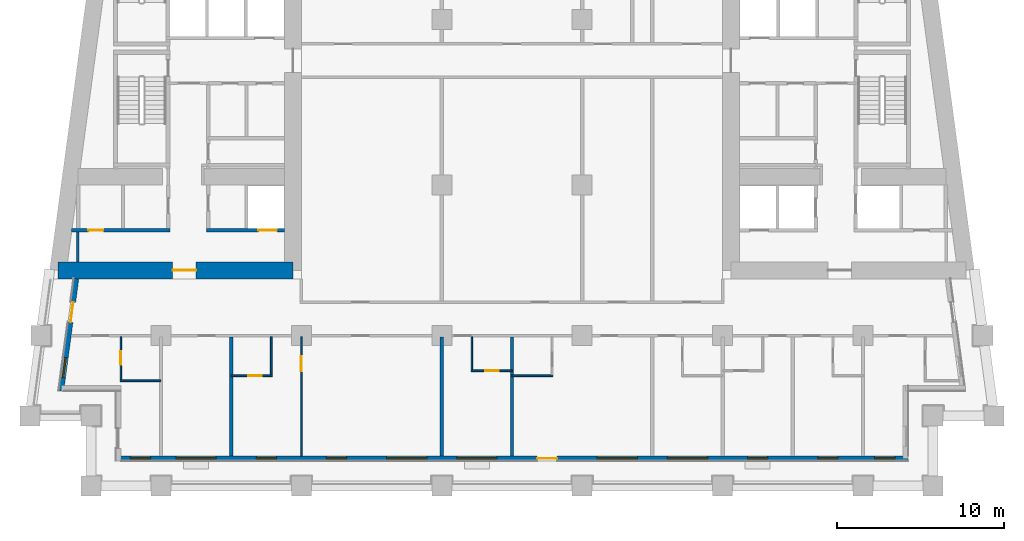
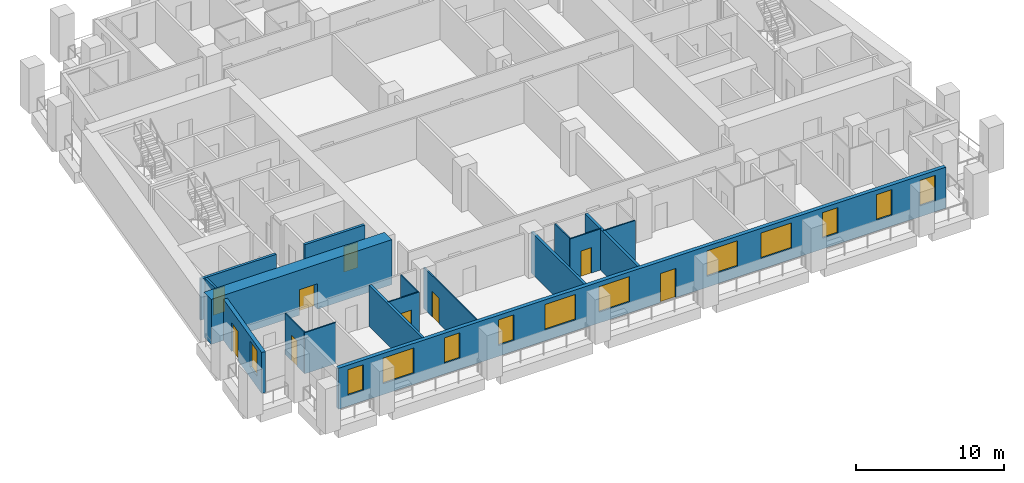
# One storey, part 2 of 13: 17 walls, 12 windows, 9 doors, 21 openings.
"""IFC4 building model written with IfcOpenShell, lengths in metres."""

import ifcopenshell
import ifcopenshell.guid

model = None  # the IFC model being written
_history = None  # IfcOwnerHistory: only IFC2X3 demands one
_inside = {}  # id of a spatial element -> (the spatial element, [elements in it])
_under = {}  # id of a project, library or spatial element -> (it, [spatial elements below it])
_declared = {}  # id of a project -> (the project, [libraries it declares])
_typed = {}  # id of a type object -> (the type object, [elements of that type])
_made_of = {}  # id of a material, layer set ... -> (it, [elements and type objects made of it])


def new_model(schema):
    """Start an empty IFC model of exactly this schema.

    Asked for "IFC4X3", IfcOpenShell would pick the latest addendum, in which some entities
    have other attributes; the version numbers below select the first issue.
    IFC2X3 requires an IfcOwnerHistory on every rooted entity: one is made here for all.
    """
    global model, _history
    if schema == "IFC4X3":
        model = ifcopenshell.file(schema_version=(4, 3, 0, 0))
    else:
        model = ifcopenshell.file(schema=schema)
    _inside.clear()
    _under.clear()
    _declared.clear()
    _typed.clear()
    _made_of.clear()
    _history = None
    if model.schema == "IFC2X3":
        org = make("IfcOrganization", Name="unknown")
        user = make(
            "IfcPersonAndOrganization",
            ThePerson=make("IfcPerson", FamilyName="unknown"),
            TheOrganization=org,
        )
        app = make(
            "IfcApplication",
            ApplicationDeveloper=org,
            Version="unknown",
            ApplicationFullName="unknown",
            ApplicationIdentifier="unknown",
        )
        _history = make(
            "IfcOwnerHistory",
            OwningUser=user,
            OwningApplication=app,
            ChangeAction="ADDED",
            CreationDate=0,
        )
    return model


def make(cls, **values):
    """One entity of the class cls with the attributes given. An attribute that is None is left unset."""
    return model.create_entity(
        cls, **{name: value for name, value in values.items() if value is not None}
    )


def rooted(cls, **values):
    """An entity with a GlobalId (a new one), such as an element, a storey or a relation."""
    return make(cls, GlobalId=ifcopenshell.guid.new(), OwnerHistory=_history, **values)


def si_unit(unit_type, name, prefix=None):
    """IfcSIUnit, for example si_unit("LENGTHUNIT", "METRE", prefix="MILLI")."""
    return make("IfcSIUnit", UnitType=unit_type, Prefix=prefix, Name=name)


def assignment(units):
    """IfcUnitAssignment: the units of a project."""
    return None if units is None else make("IfcUnitAssignment", Units=units)


def point(xyz):
    """IfcCartesianPoint."""
    return None if xyz is None else make("IfcCartesianPoint", Coordinates=xyz)


def direction(xyz):
    """IfcDirection."""
    return None if xyz is None else make("IfcDirection", DirectionRatios=xyz)


def frame(location, z_axis=None, x_axis=None):
    """IfcAxis2Placement3D, a coordinate frame: its origin and axes. An axis left out is left unset."""
    return make(
        "IfcAxis2Placement3D",
        Location=point(location),
        Axis=direction(z_axis),
        RefDirection=direction(x_axis),
    )


def frame_2d(location, x_axis=None):
    """IfcAxis2Placement2D, a coordinate frame in the plane: its origin and x axis."""
    return make(
        "IfcAxis2Placement2D", Location=point(location), RefDirection=direction(x_axis)
    )


def origin():
    """The frame at (0, 0, 0) with its axes left unset."""
    return frame((0.0, 0.0, 0.0))


def place(relative_to, where):
    """IfcLocalPlacement: puts the frame where relative to a parent placement (None: the world)."""
    return make(
        "IfcLocalPlacement", PlacementRelTo=relative_to, RelativePlacement=where
    )


def context(
    kind, dimensions, precision=None, world=None, true_north=None, identifier=None
):
    """IfcGeometricRepresentationContext, for example the 3D "Model" context."""
    return make(
        "IfcGeometricRepresentationContext",
        ContextIdentifier=identifier,
        ContextType=kind,
        CoordinateSpaceDimension=dimensions,
        Precision=precision,
        WorldCoordinateSystem=world,
        TrueNorth=true_north,
    )


def subcontext(parent, identifier, kind, view, scale=None):
    """IfcGeometricRepresentationSubContext, for example "Body" below "Model"."""
    return make(
        "IfcGeometricRepresentationSubContext",
        ContextIdentifier=identifier,
        ContextType=kind,
        ParentContext=parent,
        TargetScale=scale,
        TargetView=view,
    )


def project(units=None, contexts=None):
    """IfcProject with its units and contexts."""
    return rooted(
        "IfcProject",
        Name="project",
        RepresentationContexts=contexts,
        UnitsInContext=assignment(units),
    )


def spatial(cls, under=None, at=None, **own):
    """A site, building, storey or space (cls), placed at a placement, below another one or the project."""
    s = rooted(cls, ObjectPlacement=at, **own)
    if under is not None:
        _under.setdefault(under.id(), (under, []))[1].append(s)
    return s


def profile(cls, at=None, kind="AREA", **sizes):
    """A parametric profile (cls). Its sizes go by their IFC names, for example OverallWidth=200.0."""
    return make(cls, ProfileType=kind, Position=at, **sizes)


def rectangle(**sizes):
    """IfcRectangleProfileDef."""
    return profile("IfcRectangleProfileDef", **sizes)


def extrude(swept, where, along, depth):
    """IfcExtrudedAreaSolid: the profile swept, set in the frame where, extruded along a direction by depth."""
    return make(
        "IfcExtrudedAreaSolid",
        SweptArea=swept,
        Position=where,
        ExtrudedDirection=direction(along),
        Depth=depth,
    )


def shape(context_of_items, identifier, shape_type, items):
    """IfcShapeRepresentation: the items that make up one representation, for example the "Body"."""
    return make(
        "IfcShapeRepresentation",
        ContextOfItems=context_of_items,
        RepresentationIdentifier=identifier,
        RepresentationType=shape_type,
        Items=items,
    )


def material(Name=None, Category=None):
    """IfcMaterial."""
    return make("IfcMaterial", Name=Name, Category=Category)


def layer(
    of_material, thickness, ventilated=None, Name=None, Category=None, Priority=None
):
    """IfcMaterialLayer: one layer of a wall or slab, of a material (None: an air gap)."""
    return make(
        "IfcMaterialLayer",
        Material=of_material,
        LayerThickness=thickness,
        IsVentilated=ventilated,
        Name=Name,
        Category=Category,
        Priority=Priority,
    )


def layer_set(layers, Name=None):
    """IfcMaterialLayerSet."""
    return make("IfcMaterialLayerSet", MaterialLayers=layers, LayerSetName=Name)


def made_of(thing, what):
    """Note that an element or type object is made of a material, layer set ...; save() writes the relation."""
    if what is not None:
        _made_of.setdefault(what.id(), (what, []))[1].append(thing)
    return thing


def type_object(cls, material=None, **own):
    """A type object (cls), such as IfcWallType, which elements share."""
    return made_of(rooted(cls, **own), material)


def element(
    cls,
    number,
    at=None,
    inside=None,
    cuts=None,
    type_object=None,
    material=None,
    context=None,
    identifier="Body",
    shape_type=None,
    held_by="IfcProductDefinitionShape",
    body=None,
    shapes=None,
    **own,
):
    """One element of the class cls, such as IfcWall. Its Tag is "e" and its number.

    at: its placement. inside: the storey or other place that contains it. cuts: it is an
    opening in that element (IfcRelVoidsElement). A single representation is given by context,
    identifier, shape_type and body (its items); several are given by shapes. held_by: the class
    of the entity that holds the representations. save() writes the other relations.
    """
    e = rooted(cls, Tag="e%d" % number, ObjectPlacement=at, **own)
    if body is not None:
        shapes = [shape(context, identifier, shape_type, body)]
    if shapes is not None:
        e.Representation = make(held_by, Representations=shapes)
    if inside is not None:
        _inside.setdefault(inside.id(), (inside, []))[1].append(e)
    if cuts is not None:
        rooted(
            "IfcRelVoidsElement", RelatingBuildingElement=cuts, RelatedOpeningElement=e
        )
    if type_object is not None:
        _typed.setdefault(type_object.id(), (type_object, []))[1].append(e)
    return made_of(e, material)


def fill(opening, filler):
    """IfcRelFillsElement: the door or window that sits in an opening."""
    return rooted(
        "IfcRelFillsElement",
        RelatingOpeningElement=opening,
        RelatedBuildingElement=filler,
    )


def aggregate(whole, parts):
    """IfcRelAggregates: a whole, such as a stair, and the parts it consists of."""
    return rooted("IfcRelAggregates", RelatingObject=whole, RelatedObjects=parts)


def save(model, path):
    """Write the relations noted so far, then the file.

    IfcRelAggregates (storeys below a building ...), IfcRelContainedInSpatialStructure (elements
    in a storey), IfcRelDefinesByType, IfcRelAssociatesMaterial and IfcRelDeclares: one each for
    every whole, place, type object, material and project.
    """
    for whole, parts in _under.values():
        aggregate(whole, parts)
    for where, things in _inside.values():
        rooted(
            "IfcRelContainedInSpatialStructure",
            RelatedElements=things,
            RelatingStructure=where,
        )
    for kind, things in _typed.values():
        rooted("IfcRelDefinesByType", RelatedObjects=things, RelatingType=kind)
    for what, things in _made_of.values():
        rooted("IfcRelAssociatesMaterial", RelatedObjects=things, RelatingMaterial=what)
    for by, libraries in _declared.values():
        rooted("IfcRelDeclares", RelatingContext=by, RelatedDefinitions=libraries)
    model.write(path)


model = new_model("IFC4")

# Units and contexts
model_context = context("Model", 3, precision=1e-05, world=origin(), true_north=direction((0.0, 1.0)))
body_context = subcontext(model_context, "Body", "Model", "MODEL_VIEW")
ifc_project = project(units=[si_unit("LENGTHUNIT", "METRE"), si_unit("AREAUNIT", "SQUARE_METRE"), si_unit("VOLUMEUNIT", "CUBIC_METRE"), si_unit("PLANEANGLEUNIT", "RADIAN"), si_unit("MASSUNIT", "GRAM", prefix="KILO")], contexts=[model_context])

# Site, building, storey
site_placement = place(None, origin())
site = spatial("IfcSite", under=ifc_project, at=site_placement, CompositionType="ELEMENT")
building_placement = place(site_placement, origin())
building = spatial("IfcBuilding", under=site, at=building_placement, Name="Candeia Pilgrim Tower and Theatre", CompositionType="ELEMENT")
storey_placement = place(building_placement, frame((0.0, 0.0, 128.0)))
storey = spatial("IfcBuildingStorey", under=building, at=storey_placement, Name="L30", CompositionType="ELEMENT", Elevation=128.0)

# Wall, opening, door
ifc_material_1 = material(Name="Concrete C70/85", Category="concrete")
ifc_layer_1 = layer(ifc_material_1, 1.0)
ifc_layer_set_1 = layer_set([ifc_layer_1], Name="Core wall 1000 C70/85")
wall_type_1 = type_object("IfcWallType", Name="Core wall 1000 C70/85", PredefinedType="SHEAR", material=ifc_layer_set_1)
wall_1_placement = place(storey_placement, frame((100.300048828125, 110.89990234375, 0.0), z_axis=(0.0, 0.0, 1.0), x_axis=(-1.0, 0.0, 0.0)))
wall_1 = element("IfcWall", 1, at=wall_1_placement, inside=storey, type_object=wall_type_1, Name="Core wall W3", PredefinedType="SHEAR", context=body_context, shape_type="SweptSolid", body=[
    extrude(rectangle(XDim=14.05908203125, YDim=1.0, at=frame_2d((7.029541015625, 0.0))), origin(), (0.0, 0.0, 1.0), 3.699951171875),
])
opening_1_placement = place(wall_1_placement, frame((5.801513671875, 0.0, 0.0)))
opening_1 = element("IfcOpeningElement", 2, at=opening_1_placement, cuts=wall_1, Name="Opening L30-D056", PredefinedType="OPENING", context=body_context, shape_type="SweptSolid", body=[
    extrude(rectangle(XDim=1.39990234375, YDim=2.10009765625, at=frame_2d((0.699951171875, 1.050048828125))), frame((0.0, 0.510009765625, 0.0), z_axis=(0.0, -1.0, 0.0), x_axis=(1.0, 0.0, 0.0)), (0.0, 0.0, 1.0), 1.02001953125),
])
ifc_material_2 = material(Name="Steel fire door set", Category="steel")
door_type_1 = type_object("IfcDoorType", Name="D-1400-FD60", OperationType="NOTDEFINED", PredefinedType="DOOR", material=ifc_material_2)
door_1_placement = place(opening_1_placement, origin())
door_1 = element("IfcDoor", 3, at=door_1_placement, inside=storey, type_object=door_type_1, Name="Door L30-D056", OperationType="SINGLE_SWING_RIGHT", OverallHeight=2.10009765625, OverallWidth=1.39990234375, PredefinedType="DOOR", context=body_context, shape_type="SweptSolid", body=[
    extrude(rectangle(XDim=1.39990234375, YDim=2.10009765625, at=frame_2d((0.699951171875, 1.050048828125))), frame((0.0, 0.02490234375, 0.0), z_axis=(0.0, -1.0, 0.0), x_axis=(1.0, 0.0, 0.0)), (0.0, 0.0, 1.0), 0.050048828125),
])
fill(opening_1, door_1)

# Wall, openings, door, windows
ifc_material_3 = material(Name="Ceramic block masonry", Category="masonry")
ifc_layer_2 = layer(ifc_material_3, 0.300048828125)
ifc_layer_set_2 = layer_set([ifc_layer_2], Name="EW1 glazing-line wall 300")
wall_type_2 = type_object("IfcWallType", Name="EW1 glazing-line wall 300", PredefinedType="SOLIDWALL", material=ifc_layer_set_2)
wall_2_placement = place(storey_placement, frame((89.85009765625, 99.64990234375, 0.0), z_axis=(0.0, 0.0, 1.0), x_axis=(1.0, 0.0, 0.0)))
wall_2 = element("IfcWall", 4, at=wall_2_placement, inside=storey, type_object=wall_type_2, Name="External wall L30-0.0", PredefinedType="SOLIDWALL", context=body_context, shape_type="SweptSolid", body=[
    extrude(rectangle(XDim=47.25, YDim=0.300048828125, at=frame_2d((23.625, 0.0))), origin(), (0.0, 0.0, 1.0), 3.3798828125),
])
opening_2_placement = place(wall_2_placement, frame((0.72509765625, 0.0, 0.89990234375)))
opening_2 = element("IfcOpeningElement", 5, at=opening_2_placement, cuts=wall_2, Name="Opening W-B", PredefinedType="OPENING", context=body_context, shape_type="SweptSolid", body=[
    extrude(rectangle(XDim=1.199951171875, YDim=2.10009765625, at=frame_2d((0.60009765625, 1.050048828125))), frame((0.0, 0.16015625, 0.0), z_axis=(0.0, -1.0, 0.0), x_axis=(1.0, 0.0, 0.0)), (0.0, 0.0, 1.0), 0.320068359375),
])
opening_3_placement = place(wall_2_placement, frame((3.449951171875, 0.0, 0.89990234375)))
opening_3 = element("IfcOpeningElement", 6, at=opening_3_placement, cuts=wall_2, Name="Opening W-A", PredefinedType="OPENING", context=body_context, shape_type="SweptSolid", body=[
    extrude(rectangle(XDim=2.39990234375, YDim=2.10009765625, at=frame_2d((1.199951171875, 1.050048828125))), frame((0.0, 0.16015625, 0.0), z_axis=(0.0, -1.0, 0.0), x_axis=(1.0, 0.0, 0.0)), (0.0, 0.0, 1.0), 0.320068359375),
])
opening_4_placement = place(wall_2_placement, frame((8.25, 0.0, 0.89990234375)))
opening_4 = element("IfcOpeningElement", 7, at=opening_4_placement, cuts=wall_2, Name="Opening W-B", PredefinedType="OPENING", context=body_context, shape_type="SweptSolid", body=[
    extrude(rectangle(XDim=1.199951171875, YDim=2.10009765625, at=frame_2d((0.60009765625, 1.050048828125))), frame((0.0, 0.16015625, 0.0), z_axis=(0.0, -1.0, 0.0), x_axis=(1.0, 0.0, 0.0)), (0.0, 0.0, 1.0), 0.320068359375),
])
opening_5_placement = place(wall_2_placement, frame((12.449951171875, 0.0, 0.89990234375)))
opening_5 = element("IfcOpeningElement", 8, at=opening_5_placement, cuts=wall_2, Name="Opening W-B", PredefinedType="OPENING", context=body_context, shape_type="SweptSolid", body=[
    extrude(rectangle(XDim=1.199951171875, YDim=2.10009765625, at=frame_2d((0.60009765625, 1.050048828125))), frame((0.0, 0.16015625, 0.0), z_axis=(0.0, -1.0, 0.0), x_axis=(1.0, 0.0, 0.0)), (0.0, 0.0, 1.0), 0.320068359375),
])
opening_6_placement = place(wall_2_placement, frame((16.050048828125, 0.0, 0.89990234375)))
opening_6 = element("IfcOpeningElement", 9, at=opening_6_placement, cuts=wall_2, Name="Opening W-A", PredefinedType="OPENING", context=body_context, shape_type="SweptSolid", body=[
    extrude(rectangle(XDim=2.39990234375, YDim=2.10009765625, at=frame_2d((1.199951171875, 1.050048828125))), frame((0.0, 0.16015625, 0.0), z_axis=(0.0, -1.0, 0.0), x_axis=(1.0, 0.0, 0.0)), (0.0, 0.0, 1.0), 0.320068359375),
])
opening_7_placement = place(wall_2_placement, frame((20.25, 0.0, 0.89990234375)))
opening_7 = element("IfcOpeningElement", 10, at=opening_7_placement, cuts=wall_2, Name="Opening W-A", PredefinedType="OPENING", context=body_context, shape_type="SweptSolid", body=[
    extrude(rectangle(XDim=2.39990234375, YDim=2.10009765625, at=frame_2d((1.199951171875, 1.050048828125))), frame((0.0, 0.16015625, 0.0), z_axis=(0.0, -1.0, 0.0), x_axis=(1.0, 0.0, 0.0)), (0.0, 0.0, 1.0), 0.320068359375),
])
opening_8_placement = place(wall_2_placement, frame((25.050048828125, 0.0, 0.0)))
opening_8 = element("IfcOpeningElement", 11, at=opening_8_placement, cuts=wall_2, Name="Opening L30-ED301", PredefinedType="OPENING", context=body_context, shape_type="SweptSolid", body=[
    extrude(rectangle(XDim=1.199951171875, YDim=2.39990234375, at=frame_2d((0.60009765625, 1.199951171875))), frame((0.0, 0.16015625, 0.0), z_axis=(0.0, -1.0, 0.0), x_axis=(1.0, 0.0, 0.0)), (0.0, 0.0, 1.0), 0.320068359375),
])
opening_9_placement = place(wall_2_placement, frame((28.64990234375, 0.0, 0.89990234375)))
opening_9 = element("IfcOpeningElement", 12, at=opening_9_placement, cuts=wall_2, Name="Opening W-A", PredefinedType="OPENING", context=body_context, shape_type="SweptSolid", body=[
    extrude(rectangle(XDim=2.39990234375, YDim=2.10009765625, at=frame_2d((1.199951171875, 1.050048828125))), frame((0.0, 0.16015625, 0.0), z_axis=(0.0, -1.0, 0.0), x_axis=(1.0, 0.0, 0.0)), (0.0, 0.0, 1.0), 0.320068359375),
])
opening_10_placement = place(wall_2_placement, frame((32.85009765625, 0.0, 0.89990234375)))
opening_10 = element("IfcOpeningElement", 13, at=opening_10_placement, cuts=wall_2, Name="Opening W-A", PredefinedType="OPENING", context=body_context, shape_type="SweptSolid", body=[
    extrude(rectangle(XDim=2.39990234375, YDim=2.10009765625, at=frame_2d((1.199951171875, 1.050048828125))), frame((0.0, 0.16015625, 0.0), z_axis=(0.0, -1.0, 0.0), x_axis=(1.0, 0.0, 0.0)), (0.0, 0.0, 1.0), 0.320068359375),
])
opening_11_placement = place(wall_2_placement, frame((37.64990234375, 0.0, 0.89990234375)))
opening_11 = element("IfcOpeningElement", 14, at=opening_11_placement, cuts=wall_2, Name="Opening W-B", PredefinedType="OPENING", context=body_context, shape_type="SweptSolid", body=[
    extrude(rectangle(XDim=1.199951171875, YDim=2.10009765625, at=frame_2d((0.60009765625, 1.050048828125))), frame((0.0, 0.16015625, 0.0), z_axis=(0.0, -1.0, 0.0), x_axis=(1.0, 0.0, 0.0)), (0.0, 0.0, 1.0), 0.320068359375),
])
opening_12_placement = place(wall_2_placement, frame((41.85009765625, 0.0, 0.89990234375)))
opening_12 = element("IfcOpeningElement", 15, at=opening_12_placement, cuts=wall_2, Name="Opening W-B", PredefinedType="OPENING", context=body_context, shape_type="SweptSolid", body=[
    extrude(rectangle(XDim=1.199951171875, YDim=2.10009765625, at=frame_2d((0.60009765625, 1.050048828125))), frame((0.0, 0.16015625, 0.0), z_axis=(0.0, -1.0, 0.0), x_axis=(1.0, 0.0, 0.0)), (0.0, 0.0, 1.0), 0.320068359375),
])
opening_13_placement = place(wall_2_placement, frame((45.25, 0.0, 0.89990234375)))
opening_13 = element("IfcOpeningElement", 16, at=opening_13_placement, cuts=wall_2, Name="Opening W-B", PredefinedType="OPENING", context=body_context, shape_type="SweptSolid", body=[
    extrude(rectangle(XDim=1.199951171875, YDim=2.10009765625, at=frame_2d((0.60009765625, 1.050048828125))), frame((0.0, 0.16015625, 0.0), z_axis=(0.0, -1.0, 0.0), x_axis=(1.0, 0.0, 0.0)), (0.0, 0.0, 1.0), 0.320068359375),
])
ifc_material_4 = material(Name="Aluminium framed glazed door", Category="aluminium")
door_type_2 = type_object("IfcDoorType", Name="Loggia door 1200x2400", OperationType="DOUBLE_DOOR_SINGLE_SWING", PredefinedType="DOOR", material=ifc_material_4)
door_2_placement = place(opening_8_placement, origin())
door_2 = element("IfcDoor", 17, at=door_2_placement, inside=storey, type_object=door_type_2, Name="Loggia door L30-ED301", OperationType="DOUBLE_DOOR_SINGLE_SWING", OverallHeight=2.39990234375, OverallWidth=1.199951171875, PredefinedType="DOOR", context=body_context, shape_type="SweptSolid", body=[
    extrude(rectangle(XDim=1.199951171875, YDim=2.39990234375, at=frame_2d((0.60009765625, 1.199951171875))), frame((0.0, 0.02490234375, 0.0), z_axis=(0.0, -1.0, 0.0), x_axis=(1.0, 0.0, 0.0)), (0.0, 0.0, 1.0), 0.050048828125),
])
fill(opening_8, door_2)
ifc_material_5 = material(Name="Aluminium framed double glazing", Category="aluminium")
window_type_1 = type_object("IfcWindowType", Name="W-A window 2400x2100", PartitioningType="DOUBLE_PANEL_VERTICAL", PredefinedType="WINDOW", material=ifc_material_5)
window_1_placement = place(opening_3_placement, origin())
window_1 = element("IfcWindow", 18, at=window_1_placement, inside=storey, type_object=window_type_1, Name="Window W-A L30", OverallHeight=2.10009765625, OverallWidth=2.39990234375, PartitioningType="SINGLE_PANEL", PredefinedType="WINDOW", context=body_context, shape_type="SweptSolid", body=[
    extrude(rectangle(XDim=2.39990234375, YDim=2.10009765625, at=frame_2d((1.199951171875, 1.050048828125))), frame((0.0, 0.030029296875, 0.0), z_axis=(0.0, -1.0, 0.0), x_axis=(1.0, 0.0, 0.0)), (0.0, 0.0, 1.0), 0.06005859375),
])
fill(opening_3, window_1)
window_2_placement = place(opening_6_placement, origin())
window_2 = element("IfcWindow", 19, at=window_2_placement, inside=storey, type_object=window_type_1, Name="Window W-A L30", OverallHeight=2.10009765625, OverallWidth=2.39990234375, PartitioningType="SINGLE_PANEL", PredefinedType="WINDOW", context=body_context, shape_type="SweptSolid", body=[
    extrude(rectangle(XDim=2.39990234375, YDim=2.10009765625, at=frame_2d((1.199951171875, 1.050048828125))), frame((0.0, 0.030029296875, 0.0), z_axis=(0.0, -1.0, 0.0), x_axis=(1.0, 0.0, 0.0)), (0.0, 0.0, 1.0), 0.06005859375),
])
fill(opening_6, window_2)
window_3_placement = place(opening_7_placement, origin())
window_3 = element("IfcWindow", 20, at=window_3_placement, inside=storey, type_object=window_type_1, Name="Window W-A L30", OverallHeight=2.10009765625, OverallWidth=2.39990234375, PartitioningType="SINGLE_PANEL", PredefinedType="WINDOW", context=body_context, shape_type="SweptSolid", body=[
    extrude(rectangle(XDim=2.39990234375, YDim=2.10009765625, at=frame_2d((1.199951171875, 1.050048828125))), frame((0.0, 0.030029296875, 0.0), z_axis=(0.0, -1.0, 0.0), x_axis=(1.0, 0.0, 0.0)), (0.0, 0.0, 1.0), 0.06005859375),
])
fill(opening_7, window_3)
window_4_placement = place(opening_9_placement, origin())
window_4 = element("IfcWindow", 21, at=window_4_placement, inside=storey, type_object=window_type_1, Name="Window W-A L30", OverallHeight=2.10009765625, OverallWidth=2.39990234375, PartitioningType="SINGLE_PANEL", PredefinedType="WINDOW", context=body_context, shape_type="SweptSolid", body=[
    extrude(rectangle(XDim=2.39990234375, YDim=2.10009765625, at=frame_2d((1.199951171875, 1.050048828125))), frame((0.0, 0.030029296875, 0.0), z_axis=(0.0, -1.0, 0.0), x_axis=(1.0, 0.0, 0.0)), (0.0, 0.0, 1.0), 0.06005859375),
])
fill(opening_9, window_4)
window_5_placement = place(opening_10_placement, origin())
window_5 = element("IfcWindow", 22, at=window_5_placement, inside=storey, type_object=window_type_1, Name="Window W-A L30", OverallHeight=2.10009765625, OverallWidth=2.39990234375, PartitioningType="SINGLE_PANEL", PredefinedType="WINDOW", context=body_context, shape_type="SweptSolid", body=[
    extrude(rectangle(XDim=2.39990234375, YDim=2.10009765625, at=frame_2d((1.199951171875, 1.050048828125))), frame((0.0, 0.030029296875, 0.0), z_axis=(0.0, -1.0, 0.0), x_axis=(1.0, 0.0, 0.0)), (0.0, 0.0, 1.0), 0.06005859375),
])
fill(opening_10, window_5)
window_type_2 = type_object("IfcWindowType", Name="W-B window 1200x2100", PartitioningType="SINGLE_PANEL", PredefinedType="WINDOW", material=ifc_material_5)
window_6_placement = place(opening_2_placement, origin())
window_6 = element("IfcWindow", 23, at=window_6_placement, inside=storey, type_object=window_type_2, Name="Window W-B L30", OverallHeight=2.10009765625, OverallWidth=1.199951171875, PartitioningType="SINGLE_PANEL", PredefinedType="WINDOW", context=body_context, shape_type="SweptSolid", body=[
    extrude(rectangle(XDim=1.199951171875, YDim=2.10009765625, at=frame_2d((0.60009765625, 1.050048828125))), frame((0.0, 0.030029296875, 0.0), z_axis=(0.0, -1.0, 0.0), x_axis=(1.0, 0.0, 0.0)), (0.0, 0.0, 1.0), 0.06005859375),
])
fill(opening_2, window_6)
window_7_placement = place(opening_4_placement, origin())
window_7 = element("IfcWindow", 24, at=window_7_placement, inside=storey, type_object=window_type_2, Name="Window W-B L30", OverallHeight=2.10009765625, OverallWidth=1.199951171875, PartitioningType="SINGLE_PANEL", PredefinedType="WINDOW", context=body_context, shape_type="SweptSolid", body=[
    extrude(rectangle(XDim=1.199951171875, YDim=2.10009765625, at=frame_2d((0.60009765625, 1.050048828125))), frame((0.0, 0.030029296875, 0.0), z_axis=(0.0, -1.0, 0.0), x_axis=(1.0, 0.0, 0.0)), (0.0, 0.0, 1.0), 0.06005859375),
])
fill(opening_4, window_7)
window_8_placement = place(opening_5_placement, origin())
window_8 = element("IfcWindow", 25, at=window_8_placement, inside=storey, type_object=window_type_2, Name="Window W-B L30", OverallHeight=2.10009765625, OverallWidth=1.199951171875, PartitioningType="SINGLE_PANEL", PredefinedType="WINDOW", context=body_context, shape_type="SweptSolid", body=[
    extrude(rectangle(XDim=1.199951171875, YDim=2.10009765625, at=frame_2d((0.60009765625, 1.050048828125))), frame((0.0, 0.030029296875, 0.0), z_axis=(0.0, -1.0, 0.0), x_axis=(1.0, 0.0, 0.0)), (0.0, 0.0, 1.0), 0.06005859375),
])
fill(opening_5, window_8)
window_9_placement = place(opening_11_placement, origin())
window_9 = element("IfcWindow", 26, at=window_9_placement, inside=storey, type_object=window_type_2, Name="Window W-B L30", OverallHeight=2.10009765625, OverallWidth=1.199951171875, PartitioningType="SINGLE_PANEL", PredefinedType="WINDOW", context=body_context, shape_type="SweptSolid", body=[
    extrude(rectangle(XDim=1.199951171875, YDim=2.10009765625, at=frame_2d((0.60009765625, 1.050048828125))), frame((0.0, 0.030029296875, 0.0), z_axis=(0.0, -1.0, 0.0), x_axis=(1.0, 0.0, 0.0)), (0.0, 0.0, 1.0), 0.06005859375),
])
fill(opening_11, window_9)
window_10_placement = place(opening_12_placement, origin())
window_10 = element("IfcWindow", 27, at=window_10_placement, inside=storey, type_object=window_type_2, Name="Window W-B L30", OverallHeight=2.10009765625, OverallWidth=1.199951171875, PartitioningType="SINGLE_PANEL", PredefinedType="WINDOW", context=body_context, shape_type="SweptSolid", body=[
    extrude(rectangle(XDim=1.199951171875, YDim=2.10009765625, at=frame_2d((0.60009765625, 1.050048828125))), frame((0.0, 0.030029296875, 0.0), z_axis=(0.0, -1.0, 0.0), x_axis=(1.0, 0.0, 0.0)), (0.0, 0.0, 1.0), 0.06005859375),
])
fill(opening_12, window_10)
window_11_placement = place(opening_13_placement, origin())
window_11 = element("IfcWindow", 28, at=window_11_placement, inside=storey, type_object=window_type_2, Name="Window W-B L30", OverallHeight=2.10009765625, OverallWidth=1.199951171875, PartitioningType="SINGLE_PANEL", PredefinedType="WINDOW", context=body_context, shape_type="SweptSolid", body=[
    extrude(rectangle(XDim=1.199951171875, YDim=2.10009765625, at=frame_2d((0.60009765625, 1.050048828125))), frame((0.0, 0.030029296875, 0.0), z_axis=(0.0, -1.0, 0.0), x_axis=(1.0, 0.0, 0.0)), (0.0, 0.0, 1.0), 0.06005859375),
])
fill(opening_13, window_11)

# Wall, openings, door, window
wall_3_placement = place(storey_placement, frame((87.334228515625, 110.39990234375, 0.0), z_axis=(0.0, 0.0, 1.0), x_axis=(-0.133437175554, -0.991057273915, 0.0)))
wall_3 = element("IfcWall", 29, at=wall_3_placement, inside=storey, type_object=wall_type_2, Name="External wall L30-9.1", PredefinedType="SOLIDWALL", context=body_context, shape_type="SweptSolid", body=[
    extrude(rectangle(XDim=6.780517578125, YDim=0.300048828125, at=frame_2d((3.39013671875, 0.0))), origin(), (0.0, 0.0, 1.0), 3.3798828125),
])
opening_14_placement = place(wall_3_placement, frame((1.41796875, 0.0, 0.0)))
opening_14 = element("IfcOpeningElement", 30, at=opening_14_placement, cuts=wall_3, Name="Opening L30-ED308", PredefinedType="OPENING", context=body_context, shape_type="SweptSolid", body=[
    extrude(rectangle(XDim=1.199951171875, YDim=2.39990234375, at=frame_2d((0.60009765625, 1.199951171875))), frame((0.0, 0.16015625, 0.0), z_axis=(0.0, -1.0, 0.0), x_axis=(1.0, 0.0, 0.0)), (0.0, 0.0, 1.0), 0.320068359375),
])
opening_15_placement = place(wall_3_placement, frame((4.75830078125, 0.0, 0.89990234375)))
opening_15 = element("IfcOpeningElement", 31, at=opening_15_placement, cuts=wall_3, Name="Opening W-B", PredefinedType="OPENING", context=body_context, shape_type="SweptSolid", body=[
    extrude(rectangle(XDim=1.199951171875, YDim=2.10009765625, at=frame_2d((0.60009765625, 1.050048828125))), frame((0.0, 0.16015625, 0.0), z_axis=(0.0, -1.0, 0.0), x_axis=(1.0, 0.0, 0.0)), (0.0, 0.0, 1.0), 0.320068359375),
])
door_3_placement = place(opening_14_placement, origin())
door_3 = element("IfcDoor", 32, at=door_3_placement, inside=storey, type_object=door_type_2, Name="Loggia door L30-ED308", OperationType="DOUBLE_DOOR_SINGLE_SWING", OverallHeight=2.39990234375, OverallWidth=1.199951171875, PredefinedType="DOOR", context=body_context, shape_type="SweptSolid", body=[
    extrude(rectangle(XDim=1.199951171875, YDim=2.39990234375, at=frame_2d((0.60009765625, 1.199951171875))), frame((0.0, 0.02490234375, 0.0), z_axis=(0.0, -1.0, 0.0), x_axis=(1.0, 0.0, 0.0)), (0.0, 0.0, 1.0), 0.050048828125),
])
fill(opening_14, door_3)
window_12_placement = place(opening_15_placement, origin())
window_12 = element("IfcWindow", 33, at=window_12_placement, inside=storey, type_object=window_type_2, Name="Window W-B L30", OverallHeight=2.10009765625, OverallWidth=1.199951171875, PartitioningType="SINGLE_PANEL", PredefinedType="WINDOW", context=body_context, shape_type="SweptSolid", body=[
    extrude(rectangle(XDim=1.199951171875, YDim=2.10009765625, at=frame_2d((0.60009765625, 1.050048828125))), frame((0.0, 0.030029296875, 0.0), z_axis=(0.0, -1.0, 0.0), x_axis=(1.0, 0.0, 0.0)), (0.0, 0.0, 1.0), 0.06005859375),
])
fill(opening_15, window_12)

# Wall
ifc_material_6 = material(Name="Gypsum board partition on steel studs", Category="steel")
ifc_layer_3 = layer(ifc_material_6, 0.10009765625)
ifc_layer_set_3 = layer_set([ifc_layer_3], Name="PW-100 room partition")
wall_type_3 = type_object("IfcWallType", Name="PW-100 room partition", PredefinedType="PARTITIONING", material=ifc_layer_set_3)
wall_4_placement = place(storey_placement, frame((89.949951171875, 104.300048828125, 0.0), z_axis=(0.0, 0.0, 1.0), x_axis=(1.0, 0.0, 0.0)))
element("IfcWall", 34, at=wall_4_placement, inside=storey, type_object=wall_type_3, Name="Room partition L30-001", PredefinedType="PARTITIONING", context=body_context, shape_type="SweptSolid", body=[
    extrude(rectangle(XDim=2.449951171875, YDim=0.10009765625, at=frame_2d((1.22509765625, 0.0))), origin(), (0.0, 0.0, 1.0), 3.3798828125),
])

# Wall, opening, door
wall_5_placement = place(storey_placement, frame((96.60009765625, 104.60009765625, 0.0), z_axis=(0.0, 0.0, 1.0), x_axis=(1.0, 0.0, 0.0)))
wall_5 = element("IfcWall", 35, at=wall_5_placement, inside=storey, type_object=wall_type_3, Name="Room partition L30-003", PredefinedType="PARTITIONING", context=body_context, shape_type="SweptSolid", body=[
    extrude(rectangle(XDim=2.449951171875, YDim=0.10009765625, at=frame_2d((1.22509765625, 0.0))), origin(), (0.0, 0.0, 1.0), 3.3798828125),
])
opening_16_placement = place(wall_5_placement, frame((1.02490234375, 0.0, 0.0)))
opening_16 = element("IfcOpeningElement", 36, at=opening_16_placement, cuts=wall_5, Name="Opening L30-D022", PredefinedType="OPENING", context=body_context, shape_type="SweptSolid", body=[
    extrude(rectangle(XDim=0.800048828125, YDim=2.10009765625, at=frame_2d((0.39990234375, 1.050048828125))), frame((0.0, 0.06005859375, 0.0), z_axis=(0.0, -1.0, 0.0), x_axis=(1.0, 0.0, 0.0)), (0.0, 0.0, 1.0), 0.1201171875),
])
ifc_material_7 = material(Name="Timber door leaf", Category="wood")
door_type_3 = type_object("IfcDoorType", Name="D-800", OperationType="NOTDEFINED", PredefinedType="DOOR", material=ifc_material_7)
door_4_placement = place(opening_16_placement, origin())
door_4 = element("IfcDoor", 37, at=door_4_placement, inside=storey, type_object=door_type_3, Name="Door L30-D022", OperationType="SINGLE_SWING_RIGHT", OverallHeight=2.10009765625, OverallWidth=0.800048828125, PredefinedType="DOOR", context=body_context, shape_type="SweptSolid", body=[
    extrude(rectangle(XDim=0.800048828125, YDim=2.10009765625, at=frame_2d((0.39990234375, 1.050048828125))), frame((0.0, 0.02490234375, 0.0), z_axis=(0.0, -1.0, 0.0), x_axis=(1.0, 0.0, 0.0)), (0.0, 0.0, 1.0), 0.050048828125),
])
fill(opening_16, door_4)

# Wall
wall_6_placement = place(storey_placement, frame((113.39990234375, 104.60009765625, 0.0), z_axis=(0.0, 0.0, 1.0), x_axis=(1.0, 0.0, 0.0)))
element("IfcWall", 38, at=wall_6_placement, inside=storey, type_object=wall_type_3, Name="Room partition L30-004", PredefinedType="PARTITIONING", context=body_context, shape_type="SweptSolid", body=[
    extrude(rectangle(XDim=2.4501953125, YDim=0.10009765625, at=frame_2d((1.22509765625, 0.0))), origin(), (0.0, 0.0, 1.0), 3.3798828125),
])

# Wall, opening, door
wall_7_placement = place(storey_placement, frame((110.949951171875, 104.89990234375, 0.0), z_axis=(0.0, 0.0, 1.0), x_axis=(1.0, 0.0, 0.0)))
wall_7 = element("IfcWall", 39, at=wall_7_placement, inside=storey, type_object=wall_type_3, Name="Room partition L30-007", PredefinedType="PARTITIONING", context=body_context, shape_type="SweptSolid", body=[
    extrude(rectangle(XDim=2.449951171875, YDim=0.10009765625, at=frame_2d((1.22509765625, 0.0))), origin(), (0.0, 0.0, 1.0), 3.3798828125),
])
opening_17_placement = place(wall_7_placement, frame((0.85009765625, 0.0, 0.0)))
opening_17 = element("IfcOpeningElement", 40, at=opening_17_placement, cuts=wall_7, Name="Opening L30-D024", PredefinedType="OPENING", context=body_context, shape_type="SweptSolid", body=[
    extrude(rectangle(XDim=0.800048828125, YDim=2.10009765625, at=frame_2d((0.39990234375, 1.050048828125))), frame((0.0, 0.06005859375, 0.0), z_axis=(0.0, -1.0, 0.0), x_axis=(1.0, 0.0, 0.0)), (0.0, 0.0, 1.0), 0.1201171875),
])
door_5_placement = place(opening_17_placement, origin())
door_5 = element("IfcDoor", 41, at=door_5_placement, inside=storey, type_object=door_type_3, Name="Door L30-D024", OperationType="SINGLE_SWING_RIGHT", OverallHeight=2.10009765625, OverallWidth=0.800048828125, PredefinedType="DOOR", context=body_context, shape_type="SweptSolid", body=[
    extrude(rectangle(XDim=0.800048828125, YDim=2.10009765625, at=frame_2d((0.39990234375, 1.050048828125))), frame((0.0, 0.02490234375, 0.0), z_axis=(0.0, -1.0, 0.0), x_axis=(1.0, 0.0, 0.0)), (0.0, 0.0, 1.0), 0.050048828125),
])
fill(opening_17, door_5)

wall_8_placement = place(storey_placement, frame((90.0, 104.35009765625, 0.0), z_axis=(0.0, 0.0, 1.0), x_axis=(0.0, 1.0, 0.0)))
wall_8 = element("IfcWall", 42, at=wall_8_placement, inside=storey, type_object=wall_type_3, Name="Room partition L30-052", PredefinedType="PARTITIONING", context=body_context, shape_type="SweptSolid", body=[
    extrude(rectangle(XDim=2.574951171875, YDim=0.10009765625, at=frame_2d((1.28759765625, 0.0))), origin(), (0.0, 0.0, 1.0), 3.3798828125),
])
opening_18_placement = place(wall_8_placement, frame((0.89990234375, 0.0, 0.0)))
opening_18 = element("IfcOpeningElement", 43, at=opening_18_placement, cuts=wall_8, Name="Opening L30-D018", PredefinedType="OPENING", context=body_context, shape_type="SweptSolid", body=[
    extrude(rectangle(XDim=0.800048828125, YDim=2.10009765625, at=frame_2d((0.39990234375, 1.050048828125))), frame((0.0, 0.06005859375, 0.0), z_axis=(0.0, -1.0, 0.0), x_axis=(1.0, 0.0, 0.0)), (0.0, 0.0, 1.0), 0.1201171875),
])
door_6_placement = place(opening_18_placement, origin())
door_6 = element("IfcDoor", 44, at=door_6_placement, inside=storey, type_object=door_type_3, Name="Door L30-D018", OperationType="SINGLE_SWING_RIGHT", OverallHeight=2.10009765625, OverallWidth=0.800048828125, PredefinedType="DOOR", context=body_context, shape_type="SweptSolid", body=[
    extrude(rectangle(XDim=0.800048828125, YDim=2.10009765625, at=frame_2d((0.39990234375, 1.050048828125))), frame((0.0, 0.02490234375, 0.0), z_axis=(0.0, -1.0, 0.0), x_axis=(1.0, 0.0, 0.0)), (0.0, 0.0, 1.0), 0.050048828125),
])
fill(opening_18, door_6)

# Wall
wall_9_placement = place(storey_placement, frame((99.0, 104.64990234375, 0.0), z_axis=(0.0, 0.0, 1.0), x_axis=(0.0, 1.0, 0.0)))
element("IfcWall", 45, at=wall_9_placement, inside=storey, type_object=wall_type_3, Name="Room partition L30-070", PredefinedType="PARTITIONING", context=body_context, shape_type="SweptSolid", body=[
    extrude(rectangle(XDim=2.275146484375, YDim=0.10009765625, at=frame_2d((1.1376953125, 0.0))), origin(), (0.0, 0.0, 1.0), 3.3798828125),
])

# Wall, opening, door
wall_10_placement = place(storey_placement, frame((100.800048828125, 99.7900390625, 0.0), z_axis=(0.0, 0.0, 1.0), x_axis=(0.0, 1.0, 0.0)))
wall_10 = element("IfcWall", 46, at=wall_10_placement, inside=storey, type_object=wall_type_3, Name="Room partition L30-071", PredefinedType="PARTITIONING", context=body_context, shape_type="SweptSolid", body=[
    extrude(rectangle(XDim=7.135009765625, YDim=0.10009765625, at=frame_2d((3.5673828125, 0.0))), origin(), (0.0, 0.0, 1.0), 3.3798828125),
])
opening_19_placement = place(wall_10_placement, frame((5.074951171875, 0.0, 0.0)))
opening_19 = element("IfcOpeningElement", 47, at=opening_19_placement, cuts=wall_10, Name="Opening L30-D021", PredefinedType="OPENING", context=body_context, shape_type="SweptSolid", body=[
    extrude(rectangle(XDim=0.89990234375, YDim=2.10009765625, at=frame_2d((0.449951171875, 1.050048828125))), frame((0.0, 0.06005859375, 0.0), z_axis=(0.0, -1.0, 0.0), x_axis=(1.0, 0.0, 0.0)), (0.0, 0.0, 1.0), 0.1201171875),
])
door_type_4 = type_object("IfcDoorType", Name="D-900", OperationType="NOTDEFINED", PredefinedType="DOOR", material=ifc_material_7)
door_7_placement = place(opening_19_placement, origin())
door_7 = element("IfcDoor", 48, at=door_7_placement, inside=storey, type_object=door_type_4, Name="Door L30-D021", OperationType="SINGLE_SWING_LEFT", OverallHeight=2.10009765625, OverallWidth=0.89990234375, PredefinedType="DOOR", context=body_context, shape_type="SweptSolid", body=[
    extrude(rectangle(XDim=0.89990234375, YDim=2.10009765625, at=frame_2d((0.449951171875, 1.050048828125))), frame((0.0, 0.02490234375, 0.0), z_axis=(0.0, -1.0, 0.0), x_axis=(1.0, 0.0, 0.0)), (0.0, 0.0, 1.0), 0.050048828125),
])
fill(opening_19, door_7)

# Walls
wall_11_placement = place(storey_placement, frame((111.0, 104.949951171875, 0.0), z_axis=(0.0, 0.0, 1.0), x_axis=(0.0, 1.0, 0.0)))
element("IfcWall", 49, at=wall_11_placement, inside=storey, type_object=wall_type_3, Name="Room partition L30-082", PredefinedType="PARTITIONING", context=body_context, shape_type="SweptSolid", body=[
    extrude(rectangle(XDim=1.97509765625, YDim=0.10009765625, at=frame_2d((0.987548828125, 0.0))), origin(), (0.0, 0.0, 1.0), 3.3798828125),
])
ifc_layer_4 = layer(ifc_material_6, 0.14990234375)
ifc_layer_set_4 = layer_set([ifc_layer_4], Name="PW-150 lobby wall")
wall_type_4 = type_object("IfcWallType", Name="PW-150 lobby wall", PredefinedType="PARTITIONING", material=ifc_layer_set_4)
wall_12_placement = place(storey_placement, frame((87.428955078125, 111.39990234375, 0.0), z_axis=(0.0, 0.0, 1.0), x_axis=(0.0, 1.0, 0.0)))
element("IfcWall", 50, at=wall_12_placement, inside=storey, type_object=wall_type_4, Name="Lobby wall L30-049", PredefinedType="PARTITIONING", context=body_context, shape_type="SweptSolid", body=[
    extrude(rectangle(XDim=1.800048828125, YDim=0.14990234375, at=frame_2d((0.89990234375, 0.0))), origin(), (0.0, 0.0, 1.0), 3.3798828125),
])
ifc_layer_5 = layer(ifc_material_6, 0.199951171875)
ifc_layer_set_5 = layer_set([ifc_layer_5], Name="PW-200 party wall")
wall_type_5 = type_object("IfcWallType", Name="PW-200 party wall", PredefinedType="PARTITIONING", material=ifc_layer_set_5)
for number, where, z_axis, x_axis, name in (
    (51, (96.60009765625, 99.7900390625, 0.0), (0.0, 0.0, 1.0), (0.0, 1.0, 0.0), "Party wall L30-065"),
    (52, (109.199951171875, 99.7900390625, 0.0), (0.0, 0.0, 1.0), (0.0, 1.0, 0.0), "Party wall L30-078"),
    (53, (113.39990234375, 99.7900390625, 0.0), (0.0, 0.0, 1.0), (0.0, 1.0, 0.0), "Party wall L30-083"),
):
    element("IfcWall", number, at=place(storey_placement, frame(where, z_axis=z_axis, x_axis=x_axis)), inside=storey, type_object=wall_type_5, Name=name, PredefinedType="PARTITIONING", context=body_context, shape_type="SweptSolid", body=[
        extrude(rectangle(XDim=7.135009765625, YDim=0.199951171875, at=frame_2d((3.5673828125, 0.0))), origin(), (0.0, 0.0, 1.0), 3.3798828125),
    ])

# Wall, opening, door
ifc_material_8 = material(Name="Concrete C40/50", Category="concrete")
ifc_layer_6 = layer(ifc_material_8, 0.199951171875)
ifc_layer_set_6 = layer_set([ifc_layer_6], Name="SW-200 shaft wall")
wall_type_6 = type_object("IfcWallType", Name="SW-200 shaft wall", PredefinedType="PARTITIONING", material=ifc_layer_set_6)
wall_13_placement = place(storey_placement, frame((87.03857421875, 113.300048828125, 0.0), z_axis=(0.0, 0.0, 1.0), x_axis=(1.0, 0.0, 0.0)))
wall_13 = element("IfcWall", 54, at=wall_13_placement, inside=storey, type_object=wall_type_6, Name="Shaft wall L30-011", PredefinedType="PARTITIONING", context=body_context, shape_type="SweptSolid", body=[
    extrude(rectangle(XDim=5.888427734375, YDim=0.199951171875, at=frame_2d((2.9443359375, 0.0))), origin(), (0.0, 0.0, 1.0), 3.3798828125),
])
opening_20_placement = place(wall_13_placement, frame((1.015380859375, 0.0, 0.0)))
opening_20 = element("IfcOpeningElement", 55, at=opening_20_placement, cuts=wall_13, Name="Opening L30-D007", PredefinedType="OPENING", context=body_context, shape_type="SweptSolid", body=[
    extrude(rectangle(XDim=0.89990234375, YDim=2.10009765625, at=frame_2d((0.449951171875, 1.050048828125))), frame((0.0, 0.10986328125, 0.0), z_axis=(0.0, -1.0, 0.0), x_axis=(1.0, 0.0, 0.0)), (0.0, 0.0, 1.0), 0.219970703125),
])
door_type_5 = type_object("IfcDoorType", Name="D-900-FD60", OperationType="NOTDEFINED", PredefinedType="DOOR", material=ifc_material_2)
door_8_placement = place(opening_20_placement, origin())
door_8 = element("IfcDoor", 56, at=door_8_placement, inside=storey, type_object=door_type_5, Name="Door L30-D007", OperationType="SINGLE_SWING_RIGHT", OverallHeight=2.10009765625, OverallWidth=0.89990234375, PredefinedType="DOOR", context=body_context, shape_type="SweptSolid", body=[
    extrude(rectangle(XDim=0.89990234375, YDim=2.10009765625, at=frame_2d((0.449951171875, 1.050048828125))), frame((0.0, 0.02490234375, 0.0), z_axis=(0.0, -1.0, 0.0), x_axis=(1.0, 0.0, 0.0)), (0.0, 0.0, 1.0), 0.050048828125),
])
fill(opening_20, door_8)

wall_14_placement = place(storey_placement, frame((95.126953125, 113.300048828125, 0.0), z_axis=(0.0, 0.0, 1.0), x_axis=(1.0, 0.0, 0.0)))
wall_14 = element("IfcWall", 57, at=wall_14_placement, inside=storey, type_object=wall_type_6, Name="Shaft wall L30-012", PredefinedType="PARTITIONING", context=body_context, shape_type="SweptSolid", body=[
    extrude(rectangle(XDim=4.673095703125, YDim=0.199951171875, at=frame_2d((2.33642578125, 0.0))), origin(), (0.0, 0.0, 1.0), 3.3798828125),
])
opening_21_placement = place(wall_14_placement, frame((3.10107421875, 0.0, 0.0)))
opening_21 = element("IfcOpeningElement", 58, at=opening_21_placement, cuts=wall_14, Name="Opening L30-LD03", PredefinedType="OPENING", context=body_context, shape_type="SweptSolid", body=[
    extrude(rectangle(XDim=1.10009765625, YDim=2.10009765625, at=frame_2d((0.550048828125, 1.050048828125))), frame((0.0, 0.10986328125, 0.0), z_axis=(0.0, -1.0, 0.0), x_axis=(1.0, 0.0, 0.0)), (0.0, 0.0, 1.0), 0.219970703125),
])
ifc_material_9 = material(Name="Glazed aluminium landing door", Category="aluminium")
door_type_6 = type_object("IfcDoorType", Name="LD-1100-EI120", OperationType="SLIDING_TO_LEFT", PredefinedType="DOOR", material=ifc_material_9)
door_9_placement = place(opening_21_placement, origin())
door_9 = element("IfcDoor", 59, at=door_9_placement, inside=storey, type_object=door_type_6, Name="Landing door 03 L30", OperationType="SLIDING_TO_LEFT", OverallHeight=2.10009765625, OverallWidth=1.10009765625, PredefinedType="DOOR", context=body_context, shape_type="SweptSolid", body=[
    extrude(rectangle(XDim=1.10009765625, YDim=2.10009765625, at=frame_2d((0.550048828125, 1.050048828125))), frame((0.0, 0.02490234375, 0.0), z_axis=(0.0, -1.0, 0.0), x_axis=(1.0, 0.0, 0.0)), (0.0, 0.0, 1.0), 0.050048828125),
])
fill(opening_21, door_9)

save(model, "model.ifc")
